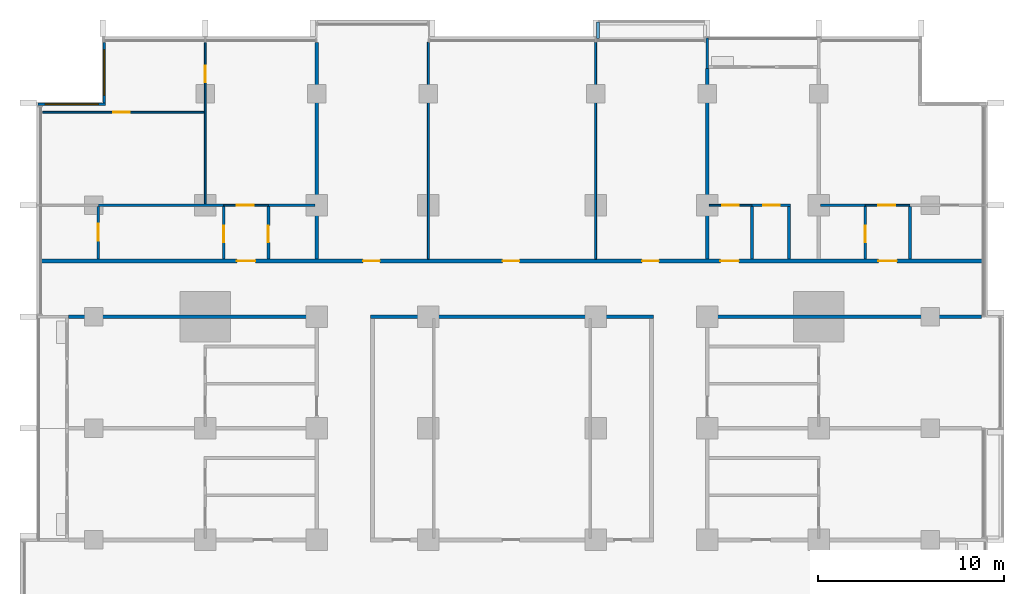
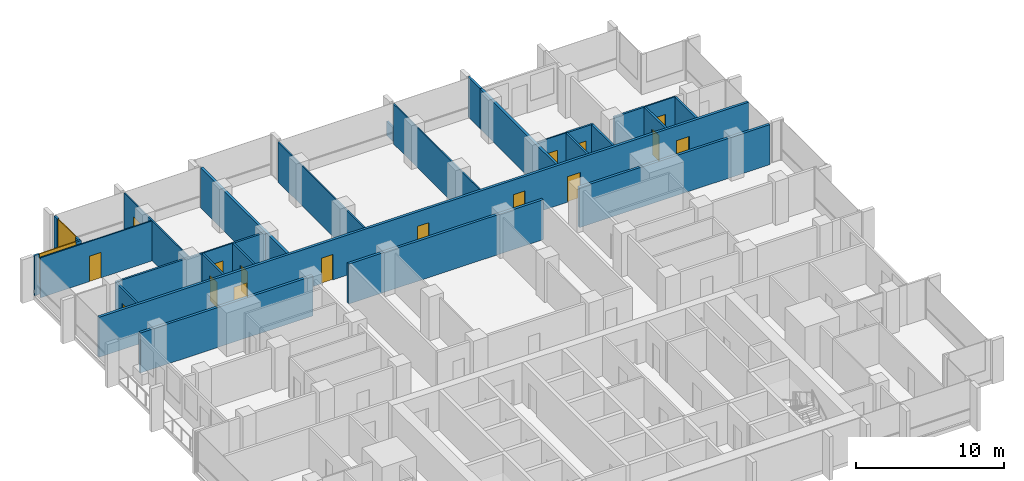
# One storey, part 11 of 17: 28 walls, 16 doors, 2 windows, 18 openings.
"""IFC4 building model written with IfcOpenShell, lengths in metres."""

from ifc_helpers import new_model, si_unit, direction, frame, frame_2d, origin, place, context, subcontext, project, spatial, rectangle, extrude, material, layer, layer_set, type_object, element, fill, save


model = new_model("IFC4")

# Units and contexts
model_context = context("Model", 3, precision=1e-05, world=origin(), true_north=direction((0.0, 1.0)))
body_context = subcontext(model_context, "Body", "Model", "MODEL_VIEW")
ifc_project = project(units=[si_unit("LENGTHUNIT", "METRE"), si_unit("AREAUNIT", "SQUARE_METRE"), si_unit("VOLUMEUNIT", "CUBIC_METRE"), si_unit("PLANEANGLEUNIT", "RADIAN"), si_unit("MASSUNIT", "GRAM", prefix="KILO")], contexts=[model_context])

# Site, building, storey
site_placement = place(None, origin())
site = spatial("IfcSite", under=ifc_project, at=site_placement, CompositionType="ELEMENT")
building_placement = place(site_placement, origin())
building = spatial("IfcBuilding", under=site, at=building_placement, Name="Finial Court Residences", CompositionType="ELEMENT")
storey_placement = place(building_placement, frame((0.0, 0.0, 117.10009765625)))
storey = spatial("IfcBuildingStorey", under=building, at=storey_placement, Name="L29", CompositionType="ELEMENT", Elevation=117.10009765625)

# Walls
ifc_material_1 = material(Name="Gypsum board")
ifc_layer_1 = layer(ifc_material_1, 0.02490234375)
ifc_material_2 = material(Name="Acoustic mineral wool in double frame")
ifc_layer_2 = layer(ifc_material_2, 0.14990234375)
ifc_layer_3 = layer(ifc_material_1, 0.02490234375)
ifc_layer_set_1 = layer_set([ifc_layer_1, ifc_layer_2, ifc_layer_3], Name="Corridor wall 200, 1 hour")
wall_type_1 = type_object("IfcWallType", Name="Corridor wall 200, 1 hour", PredefinedType="PARTITIONING", material=ifc_layer_set_1)
wall_1_placement = place(storey_placement, frame((-23.85009765625, 7.5, 0.0), z_axis=(0.0, 0.0, 1.0), x_axis=(1.0, 0.0, 0.0)))
element("IfcWall", 1, at=wall_1_placement, inside=storey, type_object=wall_type_1, Name="Partition L29-023", PredefinedType="PARTITIONING", context=body_context, shape_type="SweptSolid", body=[
    extrude(rectangle(XDim=13.4501953125, YDim=0.199951171875, at=frame_2d((6.72509765625, 0.0))), origin(), (0.0, 0.0, 1.0), 3.2998046875),
])
wall_2_placement = place(storey_placement, frame((-7.60009765625, 7.5, 0.0), z_axis=(0.0, 0.0, 1.0), x_axis=(1.0, 0.0, 0.0)))
element("IfcWall", 2, at=wall_2_placement, inside=storey, type_object=wall_type_1, Name="Partition L29-024", PredefinedType="PARTITIONING", context=body_context, shape_type="SweptSolid", body=[
    extrude(rectangle(XDim=15.2001953125, YDim=0.199951171875, at=frame_2d((7.60009765625, 0.0))), origin(), (0.0, 0.0, 1.0), 3.2998046875),
])
wall_3_placement = place(storey_placement, frame((10.39990234375, 7.5, 0.0), z_axis=(0.0, 0.0, 1.0), x_axis=(1.0, 0.0, 0.0)))
element("IfcWall", 3, at=wall_3_placement, inside=storey, type_object=wall_type_1, Name="Partition L29-025", PredefinedType="PARTITIONING", context=body_context, shape_type="SweptSolid", body=[
    extrude(rectangle(XDim=14.85009765625, YDim=0.199951171875, at=frame_2d((7.425048828125, 0.0))), origin(), (0.0, 0.0, 1.0), 3.2998046875),
])

# Wall, openings, doors
wall_4_placement = place(storey_placement, frame((-25.35009765625, 10.5, 0.0), z_axis=(0.0, 0.0, 1.0), x_axis=(1.0, 0.0, 0.0)))
wall_4 = element("IfcWall", 4, at=wall_4_placement, inside=storey, type_object=wall_type_1, Name="Partition L29-026", PredefinedType="PARTITIONING", context=body_context, shape_type="SweptSolid", body=[
    extrude(rectangle(XDim=50.7001953125, YDim=0.199951171875, at=frame_2d((25.35009765625, 0.0))), origin(), (0.0, 0.0, 1.0), 3.2998046875),
])
opening_1_placement = place(wall_4_placement, frame((10.550048828125, 0.0, 0.0)))
opening_1 = element("IfcOpeningElement", 5, at=opening_1_placement, cuts=wall_4, Name="Opening L29-D012", PredefinedType="OPENING", context=body_context, shape_type="SweptSolid", body=[
    extrude(rectangle(XDim=1.0, YDim=2.10009765625, at=frame_2d((0.5, 1.050048828125))), frame((0.0, 0.10986328125, 0.0), z_axis=(0.0, -1.0, 0.0), x_axis=(1.0, 0.0, 0.0)), (0.0, 0.0, 1.0), 0.219970703125),
])
opening_2_placement = place(wall_4_placement, frame((17.35009765625, 0.0, 0.0)))
opening_2 = element("IfcOpeningElement", 6, at=opening_2_placement, cuts=wall_4, Name="Opening L29-D013", PredefinedType="OPENING", context=body_context, shape_type="SweptSolid", body=[
    extrude(rectangle(XDim=0.89990234375, YDim=2.10009765625, at=frame_2d((0.449951171875, 1.050048828125))), frame((0.0, 0.10986328125, 0.0), z_axis=(0.0, -1.0, 0.0), x_axis=(1.0, 0.0, 0.0)), (0.0, 0.0, 1.0), 0.219970703125),
])
opening_3_placement = place(wall_4_placement, frame((24.85009765625, 0.0, 0.0)))
opening_3 = element("IfcOpeningElement", 7, at=opening_3_placement, cuts=wall_4, Name="Opening L29-D014", PredefinedType="OPENING", context=body_context, shape_type="SweptSolid", body=[
    extrude(rectangle(XDim=0.89990234375, YDim=2.10009765625, at=frame_2d((0.449951171875, 1.050048828125))), frame((0.0, 0.10986328125, 0.0), z_axis=(0.0, -1.0, 0.0), x_axis=(1.0, 0.0, 0.0)), (0.0, 0.0, 1.0), 0.219970703125),
])
opening_4_placement = place(wall_4_placement, frame((32.35009765625, 0.0, 0.0)))
opening_4 = element("IfcOpeningElement", 8, at=opening_4_placement, cuts=wall_4, Name="Opening L29-D015", PredefinedType="OPENING", context=body_context, shape_type="SweptSolid", body=[
    extrude(rectangle(XDim=0.89990234375, YDim=2.10009765625, at=frame_2d((0.449951171875, 1.050048828125))), frame((0.0, 0.10986328125, 0.0), z_axis=(0.0, -1.0, 0.0), x_axis=(1.0, 0.0, 0.0)), (0.0, 0.0, 1.0), 0.219970703125),
])
opening_5_placement = place(wall_4_placement, frame((36.550048828125, 0.0, 0.0)))
opening_5 = element("IfcOpeningElement", 9, at=opening_5_placement, cuts=wall_4, Name="Opening L29-D016", PredefinedType="OPENING", context=body_context, shape_type="SweptSolid", body=[
    extrude(rectangle(XDim=1.0, YDim=2.10009765625, at=frame_2d((0.5, 1.050048828125))), frame((0.0, 0.10986328125, 0.0), z_axis=(0.0, -1.0, 0.0), x_axis=(1.0, 0.0, 0.0)), (0.0, 0.0, 1.0), 0.219970703125),
])
opening_6_placement = place(wall_4_placement, frame((45.050048828125, 0.0, 0.0)))
opening_6 = element("IfcOpeningElement", 10, at=opening_6_placement, cuts=wall_4, Name="Opening L29-D017", PredefinedType="OPENING", context=body_context, shape_type="SweptSolid", body=[
    extrude(rectangle(XDim=1.0, YDim=2.10009765625, at=frame_2d((0.5, 1.050048828125))), frame((0.0, 0.10986328125, 0.0), z_axis=(0.0, -1.0, 0.0), x_axis=(1.0, 0.0, 0.0)), (0.0, 0.0, 1.0), 0.219970703125),
])
ifc_material_3 = material(Name="Timber door leaf in hollow metal frame", Category="wood")
door_type_1 = type_object("IfcDoorType", Name="Fire door set 1000 x 2100, 30 minutes", OperationType="SINGLE_SWING_LEFT", PredefinedType="DOOR", material=ifc_material_3)
door_1_placement = place(opening_1_placement, origin())
door_1 = element("IfcDoor", 11, at=door_1_placement, inside=storey, type_object=door_type_1, Name="Door L29-D012", OperationType="SINGLE_SWING_RIGHT", OverallHeight=2.10009765625, OverallWidth=1.0, PredefinedType="DOOR", context=body_context, shape_type="SweptSolid", body=[
    extrude(rectangle(XDim=1.0, YDim=2.10009765625, at=frame_2d((0.5, 1.050048828125))), frame((0.0, 0.02490234375, 0.0), z_axis=(0.0, -1.0, 0.0), x_axis=(1.0, 0.0, 0.0)), (0.0, 0.0, 1.0), 0.050048828125),
])
fill(opening_1, door_1)
door_2_placement = place(opening_5_placement, origin())
door_2 = element("IfcDoor", 12, at=door_2_placement, inside=storey, type_object=door_type_1, Name="Door L29-D016", OperationType="SINGLE_SWING_LEFT", OverallHeight=2.10009765625, OverallWidth=1.0, PredefinedType="DOOR", context=body_context, shape_type="SweptSolid", body=[
    extrude(rectangle(XDim=1.0, YDim=2.10009765625, at=frame_2d((0.5, 1.050048828125))), frame((0.0, 0.02490234375, 0.0), z_axis=(0.0, -1.0, 0.0), x_axis=(1.0, 0.0, 0.0)), (0.0, 0.0, 1.0), 0.050048828125),
])
fill(opening_5, door_2)
door_3_placement = place(opening_6_placement, origin())
door_3 = element("IfcDoor", 13, at=door_3_placement, inside=storey, type_object=door_type_1, Name="Door L29-D017", OperationType="SINGLE_SWING_LEFT", OverallHeight=2.10009765625, OverallWidth=1.0, PredefinedType="DOOR", context=body_context, shape_type="SweptSolid", body=[
    extrude(rectangle(XDim=1.0, YDim=2.10009765625, at=frame_2d((0.5, 1.050048828125))), frame((0.0, 0.02490234375, 0.0), z_axis=(0.0, -1.0, 0.0), x_axis=(1.0, 0.0, 0.0)), (0.0, 0.0, 1.0), 0.050048828125),
])
fill(opening_6, door_3)
door_type_2 = type_object("IfcDoorType", Name="Fire door set 900 x 2100, 30 minutes", OperationType="SINGLE_SWING_LEFT", PredefinedType="DOOR", material=ifc_material_3)
door_4_placement = place(opening_2_placement, origin())
door_4 = element("IfcDoor", 14, at=door_4_placement, inside=storey, type_object=door_type_2, Name="Door L29-D013", OperationType="SINGLE_SWING_RIGHT", OverallHeight=2.10009765625, OverallWidth=0.89990234375, PredefinedType="DOOR", context=body_context, shape_type="SweptSolid", body=[
    extrude(rectangle(XDim=0.89990234375, YDim=2.10009765625, at=frame_2d((0.449951171875, 1.050048828125))), frame((0.0, 0.02490234375, 0.0), z_axis=(0.0, -1.0, 0.0), x_axis=(1.0, 0.0, 0.0)), (0.0, 0.0, 1.0), 0.050048828125),
])
fill(opening_2, door_4)
door_5_placement = place(opening_3_placement, origin())
door_5 = element("IfcDoor", 15, at=door_5_placement, inside=storey, type_object=door_type_2, Name="Door L29-D014", OperationType="SINGLE_SWING_RIGHT", OverallHeight=2.10009765625, OverallWidth=0.89990234375, PredefinedType="DOOR", context=body_context, shape_type="SweptSolid", body=[
    extrude(rectangle(XDim=0.89990234375, YDim=2.10009765625, at=frame_2d((0.449951171875, 1.050048828125))), frame((0.0, 0.02490234375, 0.0), z_axis=(0.0, -1.0, 0.0), x_axis=(1.0, 0.0, 0.0)), (0.0, 0.0, 1.0), 0.050048828125),
])
fill(opening_3, door_5)
door_6_placement = place(opening_4_placement, origin())
door_6 = element("IfcDoor", 16, at=door_6_placement, inside=storey, type_object=door_type_2, Name="Door L29-D015", OperationType="SINGLE_SWING_LEFT", OverallHeight=2.10009765625, OverallWidth=0.89990234375, PredefinedType="DOOR", context=body_context, shape_type="SweptSolid", body=[
    extrude(rectangle(XDim=0.89990234375, YDim=2.10009765625, at=frame_2d((0.449951171875, 1.050048828125))), frame((0.0, 0.02490234375, 0.0), z_axis=(0.0, -1.0, 0.0), x_axis=(1.0, 0.0, 0.0)), (0.0, 0.0, 1.0), 0.050048828125),
])
fill(opening_4, door_6)

# Walls
wall_5_placement = place(storey_placement, frame((-10.5, 10.60009765625, 0.0), z_axis=(0.0, 0.0, 1.0), x_axis=(0.0, 1.0, 0.0)))
element("IfcWall", 17, at=wall_5_placement, inside=storey, type_object=wall_type_1, Name="Partition L29-052", PredefinedType="PARTITIONING", context=body_context, shape_type="SweptSolid", body=[
    extrude(rectangle(XDim=11.64990234375, YDim=0.199951171875, at=frame_2d((5.824951171875, 0.0))), origin(), (0.0, 0.0, 1.0), 3.2998046875),
])
wall_6_placement = place(storey_placement, frame((10.5, 10.60009765625, 0.0), z_axis=(0.0, 0.0, 1.0), x_axis=(0.0, 1.0, 0.0)))
element("IfcWall", 18, at=wall_6_placement, inside=storey, type_object=wall_type_1, Name="Partition L29-060", PredefinedType="PARTITIONING", context=body_context, shape_type="SweptSolid", body=[
    extrude(rectangle(XDim=10.25, YDim=0.199951171875, at=frame_2d((5.125, 0.0))), origin(), (0.0, 0.0, 1.0), 3.2998046875),
])

# Wall, opening, door
ifc_layer_4 = layer(ifc_material_1, 0.012451171875)
ifc_material_4 = material(Name="Mineral wool in light-gauge frame")
ifc_layer_5 = layer(ifc_material_4, 0.074951171875)
ifc_layer_6 = layer(ifc_material_1, 0.012451171875)
ifc_layer_set_2 = layer_set([ifc_layer_4, ifc_layer_5, ifc_layer_6], Name="Gypsum board partition 100")
wall_type_2 = type_object("IfcWallType", Name="Gypsum board partition 100", PredefinedType="PARTITIONING", material=ifc_layer_set_2)
wall_7_placement = place(storey_placement, frame((-15.5, 13.5, 0.0), z_axis=(0.0, 0.0, 1.0), x_axis=(1.0, 0.0, 0.0)))
wall_7 = element("IfcWall", 19, at=wall_7_placement, inside=storey, type_object=wall_type_2, Name="Partition L29-028", PredefinedType="PARTITIONING", context=body_context, shape_type="SweptSolid", body=[
    extrude(rectangle(XDim=2.39990234375, YDim=0.10009765625, at=frame_2d((1.199951171875, 0.0))), origin(), (0.0, 0.0, 1.0), 3.2998046875),
])
opening_7_placement = place(wall_7_placement, frame((0.699951171875, 0.0, 0.0)))
opening_7 = element("IfcOpeningElement", 20, at=opening_7_placement, cuts=wall_7, Name="Opening L29-D018", PredefinedType="OPENING", context=body_context, shape_type="SweptSolid", body=[
    extrude(rectangle(XDim=0.89990234375, YDim=2.10009765625, at=frame_2d((0.449951171875, 1.050048828125))), frame((0.0, 0.06005859375, 0.0), z_axis=(0.0, -1.0, 0.0), x_axis=(1.0, 0.0, 0.0)), (0.0, 0.0, 1.0), 0.1201171875),
])
ifc_material_5 = material(Name="Timber door leaf in timber frame", Category="wood")
door_type_3 = type_object("IfcDoorType", Name="Door set 900 x 2100", OperationType="SINGLE_SWING_LEFT", PredefinedType="DOOR", material=ifc_material_5)
door_7_placement = place(opening_7_placement, origin())
door_7 = element("IfcDoor", 21, at=door_7_placement, inside=storey, type_object=door_type_3, Name="Door L29-D018", OperationType="SINGLE_SWING_LEFT", OverallHeight=2.10009765625, OverallWidth=0.89990234375, PredefinedType="DOOR", context=body_context, shape_type="SweptSolid", body=[
    extrude(rectangle(XDim=0.89990234375, YDim=2.10009765625, at=frame_2d((0.449951171875, 1.050048828125))), frame((0.0, 0.02490234375, 0.0), z_axis=(0.0, -1.0, 0.0), x_axis=(1.0, 0.0, 0.0)), (0.0, 0.0, 1.0), 0.050048828125),
])
fill(opening_7, door_7)

wall_8_placement = place(storey_placement, frame((10.60009765625, 13.5, 0.0), z_axis=(0.0, 0.0, 1.0), x_axis=(1.0, 0.0, 0.0)))
wall_8 = element("IfcWall", 22, at=wall_8_placement, inside=storey, type_object=wall_type_2, Name="Partition L29-029", PredefinedType="PARTITIONING", context=body_context, shape_type="SweptSolid", body=[
    extrude(rectangle(XDim=2.2998046875, YDim=0.10009765625, at=frame_2d((1.14990234375, 0.0))), origin(), (0.0, 0.0, 1.0), 3.2998046875),
])
opening_8_placement = place(wall_8_placement, frame((0.699951171875, 0.0, 0.0)))
opening_8 = element("IfcOpeningElement", 23, at=opening_8_placement, cuts=wall_8, Name="Opening L29-D019", PredefinedType="OPENING", context=body_context, shape_type="SweptSolid", body=[
    extrude(rectangle(XDim=0.89990234375, YDim=2.10009765625, at=frame_2d((0.449951171875, 1.050048828125))), frame((0.0, 0.06005859375, 0.0), z_axis=(0.0, -1.0, 0.0), x_axis=(1.0, 0.0, 0.0)), (0.0, 0.0, 1.0), 0.1201171875),
])
door_8_placement = place(opening_8_placement, origin())
door_8 = element("IfcDoor", 24, at=door_8_placement, inside=storey, type_object=door_type_3, Name="Door L29-D019", OperationType="SINGLE_SWING_RIGHT", OverallHeight=2.10009765625, OverallWidth=0.89990234375, PredefinedType="DOOR", context=body_context, shape_type="SweptSolid", body=[
    extrude(rectangle(XDim=0.89990234375, YDim=2.10009765625, at=frame_2d((0.449951171875, 1.050048828125))), frame((0.0, 0.02490234375, 0.0), z_axis=(0.0, -1.0, 0.0), x_axis=(1.0, 0.0, 0.0)), (0.0, 0.0, 1.0), 0.050048828125),
])
fill(opening_8, door_8)

wall_9_placement = place(storey_placement, frame((19.0, 13.5, 0.0), z_axis=(0.0, 0.0, 1.0), x_axis=(1.0, 0.0, 0.0)))
wall_9 = element("IfcWall", 25, at=wall_9_placement, inside=storey, type_object=wall_type_2, Name="Partition L29-030", PredefinedType="PARTITIONING", context=body_context, shape_type="SweptSolid", body=[
    extrude(rectangle(XDim=2.39990234375, YDim=0.10009765625, at=frame_2d((1.199951171875, 0.0))), origin(), (0.0, 0.0, 1.0), 3.2998046875),
])
opening_9_placement = place(wall_9_placement, frame((0.699951171875, 0.0, 0.0)))
opening_9 = element("IfcOpeningElement", 26, at=opening_9_placement, cuts=wall_9, Name="Opening L29-D020", PredefinedType="OPENING", context=body_context, shape_type="SweptSolid", body=[
    extrude(rectangle(XDim=0.89990234375, YDim=2.10009765625, at=frame_2d((0.449951171875, 1.050048828125))), frame((0.0, 0.06005859375, 0.0), z_axis=(0.0, -1.0, 0.0), x_axis=(1.0, 0.0, 0.0)), (0.0, 0.0, 1.0), 0.1201171875),
])
door_9_placement = place(opening_9_placement, origin())
door_9 = element("IfcDoor", 27, at=door_9_placement, inside=storey, type_object=door_type_3, Name="Door L29-D020", OperationType="SINGLE_SWING_RIGHT", OverallHeight=2.10009765625, OverallWidth=0.89990234375, PredefinedType="DOOR", context=body_context, shape_type="SweptSolid", body=[
    extrude(rectangle(XDim=0.89990234375, YDim=2.10009765625, at=frame_2d((0.449951171875, 1.050048828125))), frame((0.0, 0.02490234375, 0.0), z_axis=(0.0, -1.0, 0.0), x_axis=(1.0, 0.0, 0.0)), (0.0, 0.0, 1.0), 0.050048828125),
])
fill(opening_9, door_9)

wall_10_placement = place(storey_placement, frame((-25.25, 18.5, 0.0), z_axis=(0.0, 0.0, 1.0), x_axis=(1.0, 0.0, 0.0)))
wall_10 = element("IfcWall", 28, at=wall_10_placement, inside=storey, type_object=wall_type_2, Name="Partition L29-036", PredefinedType="PARTITIONING", context=body_context, shape_type="SweptSolid", body=[
    extrude(rectangle(XDim=8.699951171875, YDim=0.10009765625, at=frame_2d((4.35009765625, 0.0))), origin(), (0.0, 0.0, 1.0), 3.2998046875),
])
opening_10_placement = place(wall_10_placement, frame((3.800048828125, 0.0, 0.0)))
opening_10 = element("IfcOpeningElement", 29, at=opening_10_placement, cuts=wall_10, Name="Opening L29-D023", PredefinedType="OPENING", context=body_context, shape_type="SweptSolid", body=[
    extrude(rectangle(XDim=0.89990234375, YDim=2.10009765625, at=frame_2d((0.449951171875, 1.050048828125))), frame((0.0, 0.06005859375, 0.0), z_axis=(0.0, -1.0, 0.0), x_axis=(1.0, 0.0, 0.0)), (0.0, 0.0, 1.0), 0.1201171875),
])
door_10_placement = place(opening_10_placement, origin())
door_10 = element("IfcDoor", 30, at=door_10_placement, inside=storey, type_object=door_type_3, Name="Door L29-D023", OperationType="SINGLE_SWING_RIGHT", OverallHeight=2.10009765625, OverallWidth=0.89990234375, PredefinedType="DOOR", context=body_context, shape_type="SweptSolid", body=[
    extrude(rectangle(XDim=0.89990234375, YDim=2.10009765625, at=frame_2d((0.449951171875, 1.050048828125))), frame((0.0, 0.02490234375, 0.0), z_axis=(0.0, -1.0, 0.0), x_axis=(1.0, 0.0, 0.0)), (0.0, 0.0, 1.0), 0.050048828125),
])
fill(opening_10, door_10)

wall_11_placement = place(storey_placement, frame((-16.5, 13.574951171875, 0.0), z_axis=(0.0, 0.0, 1.0), x_axis=(0.0, 1.0, 0.0)))
wall_11 = element("IfcWall", 31, at=wall_11_placement, inside=storey, type_object=wall_type_2, Name="Partition L29-043", PredefinedType="PARTITIONING", context=body_context, shape_type="SweptSolid", body=[
    extrude(rectangle(XDim=8.675048828125, YDim=0.10009765625, at=frame_2d((4.33740234375, 0.0))), origin(), (0.0, 0.0, 1.0), 3.2998046875),
])
opening_11_placement = place(wall_11_placement, frame((6.52490234375, 0.0, 0.0)))
opening_11 = element("IfcOpeningElement", 32, at=opening_11_placement, cuts=wall_11, Name="Opening L29-D030", PredefinedType="OPENING", context=body_context, shape_type="SweptSolid", body=[
    extrude(rectangle(XDim=0.89990234375, YDim=2.10009765625, at=frame_2d((0.449951171875, 1.050048828125))), frame((0.0, 0.06005859375, 0.0), z_axis=(0.0, -1.0, 0.0), x_axis=(1.0, 0.0, 0.0)), (0.0, 0.0, 1.0), 0.1201171875),
])
door_11_placement = place(opening_11_placement, origin())
door_11 = element("IfcDoor", 33, at=door_11_placement, inside=storey, type_object=door_type_3, Name="Door L29-D030", OperationType="SINGLE_SWING_LEFT", OverallHeight=2.10009765625, OverallWidth=0.89990234375, PredefinedType="DOOR", context=body_context, shape_type="SweptSolid", body=[
    extrude(rectangle(XDim=0.89990234375, YDim=2.10009765625, at=frame_2d((0.449951171875, 1.050048828125))), frame((0.0, 0.02490234375, 0.0), z_axis=(0.0, -1.0, 0.0), x_axis=(1.0, 0.0, 0.0)), (0.0, 0.0, 1.0), 0.050048828125),
])
fill(opening_11, door_11)

# Walls
for number, where, z_axis, x_axis, name in (
    (34, (-4.5, 10.60009765625, 0.0), (0.0, 0.0, 1.0), (0.0, 1.0, 0.0), "Partition L29-054"),
    (35, (4.5, 10.60009765625, 0.0), (0.0, 0.0, 1.0), (0.0, 1.0, 0.0), "Partition L29-057"),
):
    element("IfcWall", number, at=place(storey_placement, frame(where, z_axis=z_axis, x_axis=x_axis)), inside=storey, type_object=wall_type_2, Name=name, PredefinedType="PARTITIONING", context=body_context, shape_type="SweptSolid", body=[
        extrude(rectangle(XDim=11.64990234375, YDim=0.10009765625, at=frame_2d((5.824951171875, 0.0))), origin(), (0.0, 0.0, 1.0), 3.2998046875),
    ])
ifc_material_6 = material(Name="Moisture-resistant gypsum board")
ifc_layer_7 = layer(ifc_material_6, 0.012451171875)
ifc_layer_8 = layer(ifc_material_4, 0.125)
ifc_layer_9 = layer(ifc_material_6, 0.012451171875)
ifc_layer_set_3 = layer_set([ifc_layer_7, ifc_layer_8, ifc_layer_9], Name="Gypsum board wet-area partition 150")
wall_type_3 = type_object("IfcWallType", Name="Gypsum board wet-area partition 150", PredefinedType="PARTITIONING", material=ifc_layer_set_3)
wall_12_placement = place(storey_placement, frame((-22.25, 13.5, 0.0), z_axis=(0.0, 0.0, 1.0), x_axis=(1.0, 0.0, 0.0)))
element("IfcWall", 36, at=wall_12_placement, inside=storey, type_object=wall_type_3, Name="Partition L29-031", PredefinedType="PARTITIONING", context=body_context, shape_type="SweptSolid", body=[
    extrude(rectangle(XDim=6.75, YDim=0.14990234375, at=frame_2d((3.375, 0.0))), origin(), (0.0, 0.0, 1.0), 3.2998046875),
])
wall_13_placement = place(storey_placement, frame((-13.10009765625, 13.5, 0.0), z_axis=(0.0, 0.0, 1.0), x_axis=(1.0, 0.0, 0.0)))
element("IfcWall", 37, at=wall_13_placement, inside=storey, type_object=wall_type_3, Name="Partition L29-032", PredefinedType="PARTITIONING", context=body_context, shape_type="SweptSolid", body=[
    extrude(rectangle(XDim=2.5, YDim=0.14990234375, at=frame_2d((1.25, 0.0))), origin(), (0.0, 0.0, 1.0), 3.2998046875),
])

# Wall, opening, door
wall_14_placement = place(storey_placement, frame((12.89990234375, 13.5, 0.0), z_axis=(0.0, 0.0, 1.0), x_axis=(1.0, 0.0, 0.0)))
wall_14 = element("IfcWall", 38, at=wall_14_placement, inside=storey, type_object=wall_type_3, Name="Partition L29-033", PredefinedType="PARTITIONING", context=body_context, shape_type="SweptSolid", body=[
    extrude(rectangle(XDim=2.0751953125, YDim=0.14990234375, at=frame_2d((1.03759765625, 0.0))), origin(), (0.0, 0.0, 1.0), 3.2998046875),
])
opening_12_placement = place(wall_14_placement, frame((0.60009765625, 0.0, 0.0)))
opening_12 = element("IfcOpeningElement", 39, at=opening_12_placement, cuts=wall_14, Name="Opening L29-D021", PredefinedType="OPENING", context=body_context, shape_type="SweptSolid", body=[
    extrude(rectangle(XDim=0.89990234375, YDim=2.10009765625, at=frame_2d((0.449951171875, 1.050048828125))), frame((0.0, 0.0849609375, 0.0), z_axis=(0.0, -1.0, 0.0), x_axis=(1.0, 0.0, 0.0)), (0.0, 0.0, 1.0), 0.169921875),
])
door_12_placement = place(opening_12_placement, origin())
door_12 = element("IfcDoor", 40, at=door_12_placement, inside=storey, type_object=door_type_3, Name="Door L29-D021", OperationType="SINGLE_SWING_LEFT", OverallHeight=2.10009765625, OverallWidth=0.89990234375, PredefinedType="DOOR", context=body_context, shape_type="SweptSolid", body=[
    extrude(rectangle(XDim=0.89990234375, YDim=2.10009765625, at=frame_2d((0.449951171875, 1.050048828125))), frame((0.0, 0.02490234375, 0.0), z_axis=(0.0, -1.0, 0.0), x_axis=(1.0, 0.0, 0.0)), (0.0, 0.0, 1.0), 0.050048828125),
])
fill(opening_12, door_12)

# Wall
wall_15_placement = place(storey_placement, frame((16.60009765625, 13.5, 0.0), z_axis=(0.0, 0.0, 1.0), x_axis=(1.0, 0.0, 0.0)))
element("IfcWall", 41, at=wall_15_placement, inside=storey, type_object=wall_type_3, Name="Partition L29-034", PredefinedType="PARTITIONING", context=body_context, shape_type="SweptSolid", body=[
    extrude(rectangle(XDim=2.39990234375, YDim=0.14990234375, at=frame_2d((1.199951171875, 0.0))), origin(), (0.0, 0.0, 1.0), 3.2998046875),
])

# Wall, opening, door
wall_16_placement = place(storey_placement, frame((-22.25, 10.60009765625, 0.0), z_axis=(0.0, 0.0, 1.0), x_axis=(0.0, 1.0, 0.0)))
wall_16 = element("IfcWall", 42, at=wall_16_placement, inside=storey, type_object=wall_type_3, Name="Partition L29-037", PredefinedType="PARTITIONING", context=body_context, shape_type="SweptSolid", body=[
    extrude(rectangle(XDim=2.824951171875, YDim=0.14990234375, at=frame_2d((1.41259765625, 0.0))), origin(), (0.0, 0.0, 1.0), 3.2998046875),
])
opening_13_placement = place(wall_16_placement, frame((1.0, 0.0, 0.0)))
opening_13 = element("IfcOpeningElement", 43, at=opening_13_placement, cuts=wall_16, Name="Opening L29-D024", PredefinedType="OPENING", context=body_context, shape_type="SweptSolid", body=[
    extrude(rectangle(XDim=0.89990234375, YDim=2.10009765625, at=frame_2d((0.449951171875, 1.050048828125))), frame((0.0, 0.0849609375, 0.0), z_axis=(0.0, -1.0, 0.0), x_axis=(1.0, 0.0, 0.0)), (0.0, 0.0, 1.0), 0.169921875),
])
door_13_placement = place(opening_13_placement, origin())
door_13 = element("IfcDoor", 44, at=door_13_placement, inside=storey, type_object=door_type_3, Name="Door L29-D024", OperationType="SINGLE_SWING_RIGHT", OverallHeight=2.10009765625, OverallWidth=0.89990234375, PredefinedType="DOOR", context=body_context, shape_type="SweptSolid", body=[
    extrude(rectangle(XDim=0.89990234375, YDim=2.10009765625, at=frame_2d((0.449951171875, 1.050048828125))), frame((0.0, 0.02490234375, 0.0), z_axis=(0.0, -1.0, 0.0), x_axis=(1.0, 0.0, 0.0)), (0.0, 0.0, 1.0), 0.050048828125),
])
fill(opening_13, door_13)

wall_17_placement = place(storey_placement, frame((-15.5, 10.60009765625, 0.0), z_axis=(0.0, 0.0, 1.0), x_axis=(0.0, 1.0, 0.0)))
wall_17 = element("IfcWall", 45, at=wall_17_placement, inside=storey, type_object=wall_type_3, Name="Partition L29-049", PredefinedType="PARTITIONING", context=body_context, shape_type="SweptSolid", body=[
    extrude(rectangle(XDim=2.824951171875, YDim=0.14990234375, at=frame_2d((1.41259765625, 0.0))), origin(), (0.0, 0.0, 1.0), 3.2998046875),
])
opening_14_placement = place(wall_17_placement, frame((0.89990234375, 0.0, 0.0)))
opening_14 = element("IfcOpeningElement", 46, at=opening_14_placement, cuts=wall_17, Name="Opening L29-D034", PredefinedType="OPENING", context=body_context, shape_type="SweptSolid", body=[
    extrude(rectangle(XDim=0.89990234375, YDim=2.10009765625, at=frame_2d((0.449951171875, 1.050048828125))), frame((0.0, 0.0849609375, 0.0), z_axis=(0.0, -1.0, 0.0), x_axis=(1.0, 0.0, 0.0)), (0.0, 0.0, 1.0), 0.169921875),
])
door_14_placement = place(opening_14_placement, origin())
door_14 = element("IfcDoor", 47, at=door_14_placement, inside=storey, type_object=door_type_3, Name="Door L29-D034", OperationType="SINGLE_SWING_LEFT", OverallHeight=2.10009765625, OverallWidth=0.89990234375, PredefinedType="DOOR", context=body_context, shape_type="SweptSolid", body=[
    extrude(rectangle(XDim=0.89990234375, YDim=2.10009765625, at=frame_2d((0.449951171875, 1.050048828125))), frame((0.0, 0.02490234375, 0.0), z_axis=(0.0, -1.0, 0.0), x_axis=(1.0, 0.0, 0.0)), (0.0, 0.0, 1.0), 0.050048828125),
])
fill(opening_14, door_14)

wall_18_placement = place(storey_placement, frame((-13.10009765625, 10.60009765625, 0.0), z_axis=(0.0, 0.0, 1.0), x_axis=(0.0, 1.0, 0.0)))
wall_18 = element("IfcWall", 48, at=wall_18_placement, inside=storey, type_object=wall_type_3, Name="Partition L29-050", PredefinedType="PARTITIONING", context=body_context, shape_type="SweptSolid", body=[
    extrude(rectangle(XDim=2.824951171875, YDim=0.14990234375, at=frame_2d((1.41259765625, 0.0))), origin(), (0.0, 0.0, 1.0), 3.2998046875),
])
opening_15_placement = place(wall_18_placement, frame((0.89990234375, 0.0, 0.0)))
opening_15 = element("IfcOpeningElement", 49, at=opening_15_placement, cuts=wall_18, Name="Opening L29-D035", PredefinedType="OPENING", context=body_context, shape_type="SweptSolid", body=[
    extrude(rectangle(XDim=0.89990234375, YDim=2.10009765625, at=frame_2d((0.449951171875, 1.050048828125))), frame((0.0, 0.0849609375, 0.0), z_axis=(0.0, -1.0, 0.0), x_axis=(1.0, 0.0, 0.0)), (0.0, 0.0, 1.0), 0.169921875),
])
door_15_placement = place(opening_15_placement, origin())
door_15 = element("IfcDoor", 50, at=door_15_placement, inside=storey, type_object=door_type_3, Name="Door L29-D035", OperationType="SINGLE_SWING_RIGHT", OverallHeight=2.10009765625, OverallWidth=0.89990234375, PredefinedType="DOOR", context=body_context, shape_type="SweptSolid", body=[
    extrude(rectangle(XDim=0.89990234375, YDim=2.10009765625, at=frame_2d((0.449951171875, 1.050048828125))), frame((0.0, 0.02490234375, 0.0), z_axis=(0.0, -1.0, 0.0), x_axis=(1.0, 0.0, 0.0)), (0.0, 0.0, 1.0), 0.050048828125),
])
fill(opening_15, door_15)

# Walls
for number, where, z_axis, x_axis, name in (
    (51, (12.89990234375, 10.60009765625, 0.0), (0.0, 0.0, 1.0), (0.0, 1.0, 0.0), "Partition L29-061"),
    (52, (14.89990234375, 10.60009765625, 0.0), (0.0, 0.0, 1.0), (0.0, 1.0, 0.0), "Partition L29-062"),
):
    element("IfcWall", number, at=place(storey_placement, frame(where, z_axis=z_axis, x_axis=x_axis)), inside=storey, type_object=wall_type_3, Name=name, PredefinedType="PARTITIONING", context=body_context, shape_type="SweptSolid", body=[
        extrude(rectangle(XDim=2.824951171875, YDim=0.14990234375, at=frame_2d((1.41259765625, 0.0))), origin(), (0.0, 0.0, 1.0), 3.2998046875),
    ])

# Wall, opening, door
wall_19_placement = place(storey_placement, frame((19.0, 10.60009765625, 0.0), z_axis=(0.0, 0.0, 1.0), x_axis=(0.0, 1.0, 0.0)))
wall_19 = element("IfcWall", 53, at=wall_19_placement, inside=storey, type_object=wall_type_3, Name="Partition L29-071", PredefinedType="PARTITIONING", context=body_context, shape_type="SweptSolid", body=[
    extrude(rectangle(XDim=2.824951171875, YDim=0.14990234375, at=frame_2d((1.41259765625, 0.0))), origin(), (0.0, 0.0, 1.0), 3.2998046875),
])
opening_16_placement = place(wall_19_placement, frame((0.89990234375, 0.0, 0.0)))
opening_16 = element("IfcOpeningElement", 54, at=opening_16_placement, cuts=wall_19, Name="Opening L29-D043", PredefinedType="OPENING", context=body_context, shape_type="SweptSolid", body=[
    extrude(rectangle(XDim=0.89990234375, YDim=2.10009765625, at=frame_2d((0.449951171875, 1.050048828125))), frame((0.0, 0.0849609375, 0.0), z_axis=(0.0, -1.0, 0.0), x_axis=(1.0, 0.0, 0.0)), (0.0, 0.0, 1.0), 0.169921875),
])
door_16_placement = place(opening_16_placement, origin())
door_16 = element("IfcDoor", 55, at=door_16_placement, inside=storey, type_object=door_type_3, Name="Door L29-D043", OperationType="SINGLE_SWING_LEFT", OverallHeight=2.10009765625, OverallWidth=0.89990234375, PredefinedType="DOOR", context=body_context, shape_type="SweptSolid", body=[
    extrude(rectangle(XDim=0.89990234375, YDim=2.10009765625, at=frame_2d((0.449951171875, 1.050048828125))), frame((0.0, 0.02490234375, 0.0), z_axis=(0.0, -1.0, 0.0), x_axis=(1.0, 0.0, 0.0)), (0.0, 0.0, 1.0), 0.050048828125),
])
fill(opening_16, door_16)

# Walls
wall_20_placement = place(storey_placement, frame((21.39990234375, 10.60009765625, 0.0), z_axis=(0.0, 0.0, 1.0), x_axis=(0.0, 1.0, 0.0)))
element("IfcWall", 56, at=wall_20_placement, inside=storey, type_object=wall_type_3, Name="Partition L29-075", PredefinedType="PARTITIONING", context=body_context, shape_type="SweptSolid", body=[
    extrude(rectangle(XDim=2.824951171875, YDim=0.14990234375, at=frame_2d((1.41259765625, 0.0))), origin(), (0.0, 0.0, 1.0), 3.2998046875),
])
ifc_material_7 = material(Name="Concrete C35/45", Category="concrete")
ifc_layer_10 = layer(ifc_material_7, 0.14990234375)
ifc_layer_set_4 = layer_set([ifc_layer_10], Name="Ledge parapet, Concrete C35/45 150")
wall_type_4 = type_object("IfcWallType", Name="Ledge parapet, Concrete C35/45 150", PredefinedType="PARAPET", material=ifc_layer_set_4)
wall_21_placement = place(storey_placement, frame((4.625, 22.4599609375, 0.0), z_axis=(0.0, 0.0, 1.0), x_axis=(0.0, 1.0, 0.0)))
element("IfcWall", 57, at=wall_21_placement, inside=storey, type_object=wall_type_4, Name="E-L29-LED1-P1", PredefinedType="PARAPET", context=body_context, shape_type="SweptSolid", body=[
    extrude(rectangle(XDim=0.89013671875, YDim=0.14990234375, at=frame_2d((0.445068359375, 0.0))), origin(), (0.0, 0.0, 1.0), 1.14990234375),
])

# Wall, opening, window
ifc_material_8 = material(Name="Natural limestone", Category="masonry")
ifc_layer_11 = layer(ifc_material_8, 0.14990234375)
ifc_layer_set_5 = layer_set([ifc_layer_11], Name="Limestone clad wall 150")
wall_type_5 = type_object("IfcWallType", Name="Limestone clad wall 150", PredefinedType="SOLIDWALL", material=ifc_layer_set_5)
wall_22_placement = place(storey_placement, frame((-21.925048828125, 19.0, 0.0), z_axis=(0.0, 0.0, 1.0), x_axis=(0.0, 1.0, 0.0)))
wall_22 = element("IfcWall", 58, at=wall_22_placement, inside=storey, type_object=wall_type_5, Name="E-L29-NWW18", PredefinedType="SOLIDWALL", context=body_context, shape_type="SweptSolid", body=[
    extrude(rectangle(XDim=3.25, YDim=0.14990234375, at=frame_2d((1.625, 0.0))), origin(), (0.0, 0.0, 1.0), 3.2998046875),
])
opening_17_placement = place(wall_22_placement, frame((0.39990234375, 0.0, 0.89990234375)))
opening_17 = element("IfcOpeningElement", 59, at=opening_17_placement, cuts=wall_22, Name="Opening WE29-05", PredefinedType="OPENING", context=body_context, shape_type="SweptSolid", body=[
    extrude(rectangle(XDim=2.449951171875, YDim=2.39990234375, at=frame_2d((1.22509765625, 1.199951171875))), frame((0.0, 0.0849609375, 0.0), z_axis=(0.0, -1.0, 0.0), x_axis=(1.0, 0.0, 0.0)), (0.0, 0.0, 1.0), 0.169921875),
])
ifc_material_9 = material(Name="Clear low-e glass", Category="glass")
window_type_1 = type_object("IfcWindowType", Name="Corner window 2450 x 2400", PartitioningType="SINGLE_PANEL", PredefinedType="WINDOW", material=ifc_material_9)
window_1_placement = place(opening_17_placement, origin())
window_1 = element("IfcWindow", 60, at=window_1_placement, inside=storey, type_object=window_type_1, Name="E-L29-NWW18-W1", OverallHeight=2.39990234375, OverallWidth=2.449951171875, PartitioningType="SINGLE_PANEL", PredefinedType="WINDOW", context=body_context, shape_type="SweptSolid", body=[
    extrude(rectangle(XDim=2.449951171875, YDim=2.39990234375, at=frame_2d((1.22509765625, 1.199951171875))), frame((0.0, 0.030029296875, 0.0), z_axis=(0.0, -1.0, 0.0), x_axis=(1.0, 0.0, 0.0)), (0.0, 0.0, 1.0), 0.06005859375),
])
fill(opening_17, window_1)

wall_23_placement = place(storey_placement, frame((-25.5, 18.925048828125, 0.0), z_axis=(0.0, 0.0, 1.0), x_axis=(1.0, 0.0, 0.0)))
wall_23 = element("IfcWall", 61, at=wall_23_placement, inside=storey, type_object=wall_type_5, Name="E-L29-NWN19", PredefinedType="SOLIDWALL", context=body_context, shape_type="SweptSolid", body=[
    extrude(rectangle(XDim=3.64990234375, YDim=0.14990234375, at=frame_2d((1.824951171875, 0.0))), origin(), (0.0, 0.0, 1.0), 3.2998046875),
])
opening_18_placement = place(wall_23_placement, frame((0.39990234375, 0.0, 0.89990234375)))
opening_18 = element("IfcOpeningElement", 62, at=opening_18_placement, cuts=wall_23, Name="Opening WE29-06", PredefinedType="OPENING", context=body_context, shape_type="SweptSolid", body=[
    extrude(rectangle(XDim=2.85009765625, YDim=2.39990234375, at=frame_2d((1.425048828125, 1.199951171875))), frame((0.0, 0.0849609375, 0.0), z_axis=(0.0, -1.0, 0.0), x_axis=(1.0, 0.0, 0.0)), (0.0, 0.0, 1.0), 0.169921875),
])
window_type_2 = type_object("IfcWindowType", Name="Corner window 2850 x 2400", PartitioningType="SINGLE_PANEL", PredefinedType="WINDOW", material=ifc_material_9)
window_2_placement = place(opening_18_placement, origin())
window_2 = element("IfcWindow", 63, at=window_2_placement, inside=storey, type_object=window_type_2, Name="E-L29-NWN19-W1", OverallHeight=2.39990234375, OverallWidth=2.85009765625, PartitioningType="SINGLE_PANEL", PredefinedType="WINDOW", context=body_context, shape_type="SweptSolid", body=[
    extrude(rectangle(XDim=2.85009765625, YDim=2.39990234375, at=frame_2d((1.425048828125, 1.199951171875))), frame((0.0, 0.030029296875, 0.0), z_axis=(0.0, -1.0, 0.0), x_axis=(1.0, 0.0, 0.0)), (0.0, 0.0, 1.0), 0.06005859375),
])
fill(opening_18, window_2)

# Wall
wall_24_placement = place(storey_placement, frame((10.5, 20.85009765625, 0.0), z_axis=(0.0, 0.0, 1.0), x_axis=(0.0, 1.0, 0.0)))
element("IfcWall", 64, at=wall_24_placement, inside=storey, type_object=wall_type_5, Name="E-L29-BALN6-P1", PredefinedType="SOLIDWALL", context=body_context, shape_type="SweptSolid", body=[
    extrude(rectangle(XDim=1.64990234375, YDim=0.14990234375, at=frame_2d((0.824951171875, 0.0))), origin(), (0.0, 0.0, 1.0), 3.2998046875),
])

save(model, "model.ifc")
